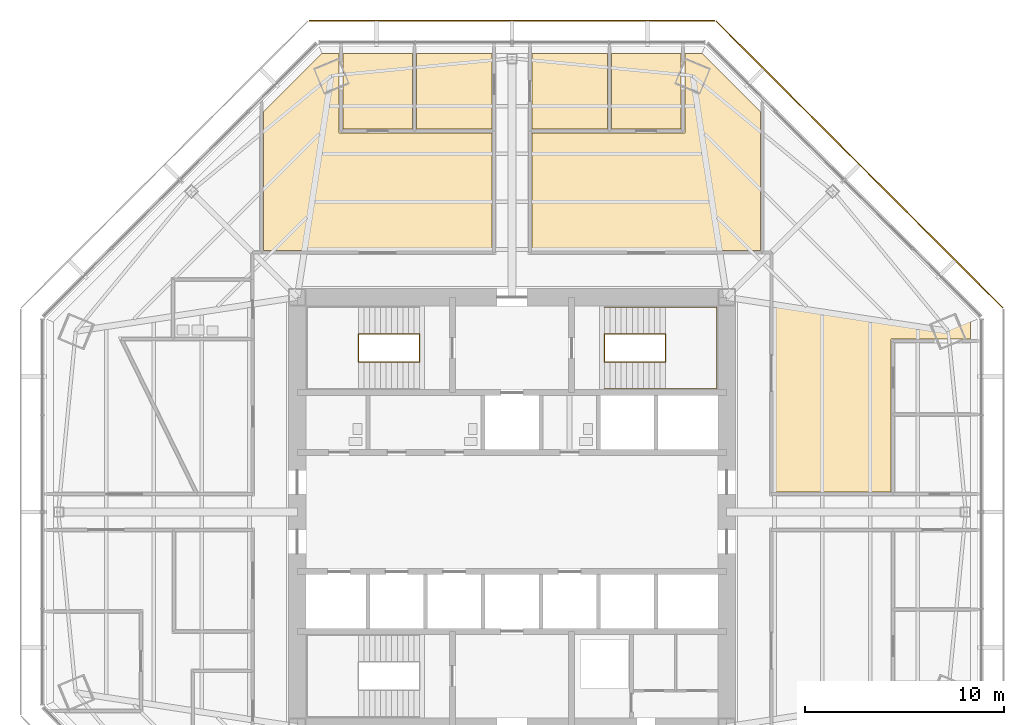
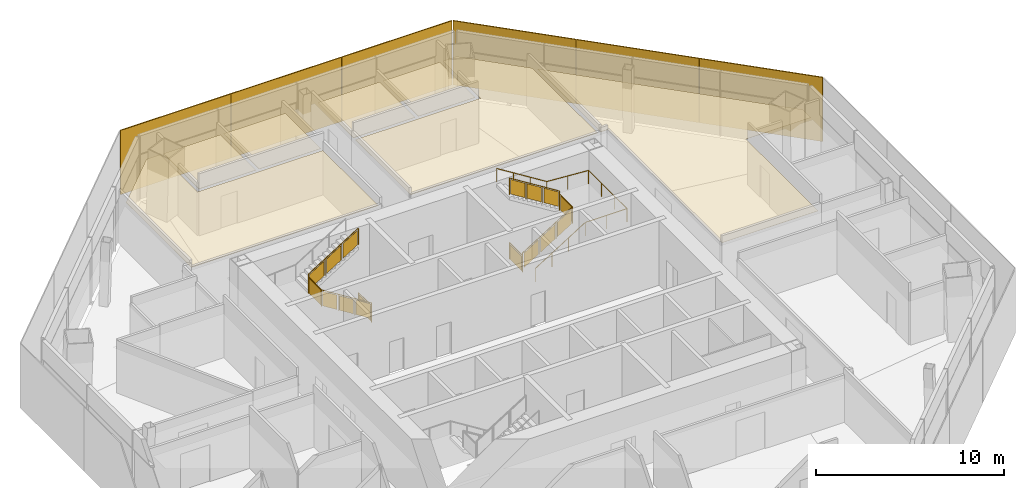
# One storey, part 14 of 15: 7 coverings, 6 shading devices, 3 railings.
"""IFC4 building model written with IfcOpenShell, lengths in metres."""

from ifc_helpers import new_model, si_unit, direction, frame, origin, origin_2d, place, context, subcontext, project, spatial, polyline, rectangle, circle, outline, extrude, source, transform, mapped, material, layer, layer_set, type_object, type_shapes, element, save


model = new_model("IFC4")

# Units and contexts
model_context = context("Model", 3, precision=1e-05, world=origin(), true_north=direction((0.0, 1.0)))
body_context = subcontext(model_context, "Body", "Model", "MODEL_VIEW")
ifc_project = project(units=[si_unit("LENGTHUNIT", "METRE"), si_unit("AREAUNIT", "SQUARE_METRE"), si_unit("VOLUMEUNIT", "CUBIC_METRE"), si_unit("PLANEANGLEUNIT", "RADIAN"), si_unit("MASSUNIT", "GRAM", prefix="KILO")], contexts=[model_context])

# Site, building, storey
site_placement = place(None, origin())
site = spatial("IfcSite", under=ifc_project, at=site_placement, CompositionType="ELEMENT")
building_placement = place(site_placement, origin())
building = spatial("IfcBuilding", under=site, at=building_placement, Name="Mashrafa Tower", CompositionType="ELEMENT")
storey_placement = place(building_placement, frame((0.0, 0.0, 155.39990234375)))
storey = spatial("IfcBuildingStorey", under=building, at=storey_placement, Name="L35", CompositionType="ELEMENT", Elevation=155.39990234375)

# Railings
ifc_material_1 = material(Name="Steel guard with glass infill", Category="steel")
railing_type_1 = type_object("IfcRailingType", Name="Stair guard 1100", PredefinedType="GUARDRAIL", material=ifc_material_1)
railing_1_placement = place(storey_placement, frame((-4.64990234375, 8.949951171875, 0.0)))
element("IfcRailing", 1, at=railing_1_placement, inside=storey, type_object=railing_type_1, Name="Stair S1 guard L35", PredefinedType="GUARDRAIL", context=body_context, shape_type="SweptSolid", body=[
    extrude(circle(Radius=0.02392578125, at=origin_2d()), frame((0.0, 0.0, 1.076171875), z_axis=(0.0, -1.0, 0.0), x_axis=(1.0, 0.0, 0.0)), (0.0, 0.0, 1.0), 1.39990234375),
    extrude(circle(Radius=0.02392578125, at=origin_2d()), frame((0.0, -1.39990234375, 1.076171875), z_axis=(0.0, 0.0, 1.0), x_axis=(1.0, 0.0, 0.0)), (0.0, 0.0, 1.0), 0.175048828125),
    extrude(circle(Radius=0.02392578125, at=origin_2d()), frame((0.0, -1.39990234375, 1.2509765625), z_axis=(-0.847998304005, 0.0, 0.529998940003), x_axis=(0.0, -1.0, 0.0)), (0.0, 0.0, 1.0), 3.632080078125),
    extrude(circle(Radius=0.02392578125, at=origin_2d()), frame((-3.080078125, -1.39990234375, 3.17626953125), z_axis=(0.0, 1.0, 0.0), x_axis=(-1.0, 0.0, 0.0)), (0.0, 0.0, 1.0), 1.39990234375),
    extrude(circle(Radius=0.02392578125, at=origin_2d()), frame((-3.080078125, 0.0, 3.17626953125), z_axis=(0.0, 0.0, 1.0), x_axis=(1.0, 0.0, 0.0)), (0.0, 0.0, 1.0), 0.175048828125),
    extrude(circle(Radius=0.02392578125, at=origin_2d()), frame((-3.080078125, 0.0, 3.35107421875), z_axis=(0.847998304005, 0.0, 0.529998940003), x_axis=(0.0, 1.0, 0.0)), (0.0, 0.0, 1.0), 3.632080078125),
    extrude(circle(Radius=0.02099609375, at=origin_2d()), origin(), (0.0, 0.0, 1.0), 1.052001953125),
    extrude(circle(Radius=0.02099609375, at=origin_2d()), frame((0.0, -1.39990234375, 0.0)), (0.0, 0.0, 1.0), 1.052001953125),
    extrude(circle(Radius=0.02099609375, at=origin_2d()), frame((0.0, -1.39990234375, 0.175048828125)), (0.0, 0.0, 1.0), 1.052001953125),
    extrude(circle(Radius=0.02099609375, at=origin_2d()), frame((-1.026611328125, -1.39990234375, 0.816650390625)), (0.0, 0.0, 1.0), 1.052001953125),
    extrude(circle(Radius=0.02099609375, at=origin_2d()), frame((-2.053466796875, -1.39990234375, 1.45849609375)), (0.0, 0.0, 1.0), 1.052001953125),
    extrude(circle(Radius=0.02099609375, at=origin_2d()), frame((-3.080078125, -1.39990234375, 2.10009765625)), (0.0, 0.0, 1.0), 1.052001953125),
    extrude(circle(Radius=0.02099609375, at=origin_2d()), frame((-3.080078125, 0.0, 2.10009765625)), (0.0, 0.0, 1.0), 1.052001953125),
    extrude(circle(Radius=0.02099609375, at=origin_2d()), frame((-3.080078125, 0.0, 2.275146484375)), (0.0, 0.0, 1.0), 1.052001953125),
    extrude(circle(Radius=0.02099609375, at=origin_2d()), frame((-2.053466796875, 0.0, 2.916748046875)), (0.0, 0.0, 1.0), 1.052001953125),
    extrude(circle(Radius=0.02099609375, at=origin_2d()), frame((-1.026611328125, 0.0, 3.55859375)), (0.0, 0.0, 1.0), 1.052001953125),
    extrude(circle(Radius=0.02099609375, at=origin_2d()), frame((0.0, 0.0, 4.2001953125)), (0.0, 0.0, 1.0), 1.052001953125),
    extrude(outline(polyline([(0.071044921875, 0.050048828125), (1.328857421875, 0.050048828125), (1.328857421875, 1.001953125), (0.071044921875, 1.001953125), (0.071044921875, 0.050048828125)])), frame((-0.006103515625, 0.0, 0.0), z_axis=(-1.0, 0.0, 0.0), x_axis=(0.0, -1.0, 0.0)), (0.0, 0.0, 1.0), 0.011962890625),
    extrude(outline(polyline([(0.071044921875, 0.094482421875), (0.955810546875, 0.647216796875), (0.955810546875, 1.599365234375), (0.071044921875, 1.04638671875), (0.071044921875, 0.094482421875)])), frame((0.0, -1.393798828125, 0.175048828125), z_axis=(0.0, 1.0, 0.0), x_axis=(-1.0, 0.0, 0.0)), (0.0, 0.0, 1.0), 0.011962890625),
    extrude(outline(polyline([(1.09765625, 0.736083984375), (1.982421875, 1.2890625), (1.982421875, 2.240966796875), (1.09765625, 1.68798828125), (1.09765625, 0.736083984375)])), frame((0.0, -1.393798828125, 0.175048828125), z_axis=(0.0, 1.0, 0.0), x_axis=(-1.0, 0.0, 0.0)), (0.0, 0.0, 1.0), 0.011962890625),
    extrude(outline(polyline([(2.124267578125, 1.377685546875), (3.009033203125, 1.9306640625), (3.009033203125, 2.882568359375), (2.124267578125, 2.329833984375), (2.124267578125, 1.377685546875)])), frame((0.0, -1.393798828125, 0.175048828125), z_axis=(0.0, 1.0, 0.0), x_axis=(-1.0, 0.0, 0.0)), (0.0, 0.0, 1.0), 0.011962890625),
    extrude(outline(polyline([(0.071044921875, 0.050048828125), (1.328857421875, 0.050048828125), (1.328857421875, 1.001953125), (0.071044921875, 1.001953125), (0.071044921875, 0.050048828125)])), frame((-3.073974609375, -1.39990234375, 2.10009765625), z_axis=(1.0, 0.0, 0.0), x_axis=(0.0, 1.0, 0.0)), (0.0, 0.0, 1.0), 0.011962890625),
    extrude(outline(polyline([(0.071044921875, 0.094482421875), (0.955810546875, 0.647216796875), (0.955810546875, 1.599365234375), (0.071044921875, 1.04638671875), (0.071044921875, 0.094482421875)])), frame((-3.080078125, -0.006103515625, 2.275146484375), z_axis=(0.0, -1.0, 0.0), x_axis=(1.0, 0.0, 0.0)), (0.0, 0.0, 1.0), 0.011962890625),
    extrude(outline(polyline([(1.09765625, 0.736083984375), (1.982421875, 1.2890625), (1.982421875, 2.240966796875), (1.09765625, 1.68798828125), (1.09765625, 0.736083984375)])), frame((-3.080078125, -0.006103515625, 2.275146484375), z_axis=(0.0, -1.0, 0.0), x_axis=(1.0, 0.0, 0.0)), (0.0, 0.0, 1.0), 0.011962890625),
    extrude(outline(polyline([(2.124267578125, 1.377685546875), (3.009033203125, 1.9306640625), (3.009033203125, 2.882568359375), (2.124267578125, 2.329833984375), (2.124267578125, 1.377685546875)])), frame((-3.080078125, -0.006103515625, 2.275146484375), z_axis=(0.0, -1.0, 0.0), x_axis=(1.0, 0.0, 0.0)), (0.0, 0.0, 1.0), 0.011962890625),
])
railing_2_placement = place(storey_placement, frame((4.64990234375, 8.949951171875, 0.0)))
element("IfcRailing", 2, at=railing_2_placement, inside=storey, type_object=railing_type_1, Name="Stair S2 guard L35", PredefinedType="GUARDRAIL", context=body_context, shape_type="SweptSolid", body=[
    extrude(circle(Radius=0.02392578125, at=origin_2d()), frame((0.0, 0.0, 1.076171875), z_axis=(0.0, -1.0, 0.0), x_axis=(1.0, 0.0, 0.0)), (0.0, 0.0, 1.0), 1.39990234375),
    extrude(circle(Radius=0.02392578125, at=origin_2d()), frame((0.0, -1.39990234375, 1.076171875), z_axis=(0.0, 0.0, 1.0), x_axis=(1.0, 0.0, 0.0)), (0.0, 0.0, 1.0), 0.175048828125),
    extrude(circle(Radius=0.02392578125, at=origin_2d()), frame((0.0, -1.39990234375, 1.2509765625), z_axis=(0.847998304005, 0.0, 0.529998940003), x_axis=(0.0, 1.0, 0.0)), (0.0, 0.0, 1.0), 3.632080078125),
    extrude(circle(Radius=0.02392578125, at=origin_2d()), frame((3.080078125, -1.39990234375, 3.17626953125), z_axis=(0.0, 1.0, 0.0), x_axis=(-1.0, 0.0, 0.0)), (0.0, 0.0, 1.0), 1.39990234375),
    extrude(circle(Radius=0.02392578125, at=origin_2d()), frame((3.080078125, 0.0, 3.17626953125), z_axis=(0.0, 0.0, 1.0), x_axis=(1.0, 0.0, 0.0)), (0.0, 0.0, 1.0), 0.175048828125),
    extrude(circle(Radius=0.02392578125, at=origin_2d()), frame((3.080078125, 0.0, 3.35107421875), z_axis=(-0.847998304005, 0.0, 0.529998940003), x_axis=(0.0, -1.0, 0.0)), (0.0, 0.0, 1.0), 3.632080078125),
    extrude(circle(Radius=0.02099609375, at=origin_2d()), origin(), (0.0, 0.0, 1.0), 1.052001953125),
    extrude(circle(Radius=0.02099609375, at=origin_2d()), frame((0.0, -1.39990234375, 0.0)), (0.0, 0.0, 1.0), 1.052001953125),
    extrude(circle(Radius=0.02099609375, at=origin_2d()), frame((0.0, -1.39990234375, 0.175048828125)), (0.0, 0.0, 1.0), 1.052001953125),
    extrude(circle(Radius=0.02099609375, at=origin_2d()), frame((1.026611328125, -1.39990234375, 0.816650390625)), (0.0, 0.0, 1.0), 1.052001953125),
    extrude(circle(Radius=0.02099609375, at=origin_2d()), frame((2.053466796875, -1.39990234375, 1.45849609375)), (0.0, 0.0, 1.0), 1.052001953125),
    extrude(circle(Radius=0.02099609375, at=origin_2d()), frame((3.080078125, -1.39990234375, 2.10009765625)), (0.0, 0.0, 1.0), 1.052001953125),
    extrude(circle(Radius=0.02099609375, at=origin_2d()), frame((3.080078125, 0.0, 2.10009765625)), (0.0, 0.0, 1.0), 1.052001953125),
    extrude(circle(Radius=0.02099609375, at=origin_2d()), frame((3.080078125, 0.0, 2.275146484375)), (0.0, 0.0, 1.0), 1.052001953125),
    extrude(circle(Radius=0.02099609375, at=origin_2d()), frame((2.053466796875, 0.0, 2.916748046875)), (0.0, 0.0, 1.0), 1.052001953125),
    extrude(circle(Radius=0.02099609375, at=origin_2d()), frame((1.026611328125, 0.0, 3.55859375)), (0.0, 0.0, 1.0), 1.052001953125),
    extrude(circle(Radius=0.02099609375, at=origin_2d()), frame((0.0, 0.0, 4.2001953125)), (0.0, 0.0, 1.0), 1.052001953125),
    extrude(outline(polyline([(0.071044921875, 0.050048828125), (1.328857421875, 0.050048828125), (1.328857421875, 1.001953125), (0.071044921875, 1.001953125), (0.071044921875, 0.050048828125)])), frame((-0.006103515625, 0.0, 0.0), z_axis=(-1.0, 0.0, 0.0), x_axis=(0.0, -1.0, 0.0)), (0.0, 0.0, 1.0), 0.011962890625),
    extrude(outline(polyline([(0.071044921875, 0.094482421875), (0.955810546875, 0.647216796875), (0.955810546875, 1.599365234375), (0.071044921875, 1.04638671875), (0.071044921875, 0.094482421875)])), frame((0.0, -1.406005859375, 0.175048828125), z_axis=(0.0, -1.0, 0.0), x_axis=(1.0, 0.0, 0.0)), (0.0, 0.0, 1.0), 0.011962890625),
    extrude(outline(polyline([(1.09765625, 0.736083984375), (1.982421875, 1.2890625), (1.982421875, 2.240966796875), (1.09765625, 1.68798828125), (1.09765625, 0.736083984375)])), frame((0.0, -1.406005859375, 0.175048828125), z_axis=(0.0, -1.0, 0.0), x_axis=(1.0, 0.0, 0.0)), (0.0, 0.0, 1.0), 0.011962890625),
    extrude(outline(polyline([(2.124267578125, 1.377685546875), (3.009033203125, 1.9306640625), (3.009033203125, 2.882568359375), (2.124267578125, 2.329833984375), (2.124267578125, 1.377685546875)])), frame((0.0, -1.406005859375, 0.175048828125), z_axis=(0.0, -1.0, 0.0), x_axis=(1.0, 0.0, 0.0)), (0.0, 0.0, 1.0), 0.011962890625),
    extrude(outline(polyline([(0.071044921875, 0.050048828125), (1.328857421875, 0.050048828125), (1.328857421875, 1.001953125), (0.071044921875, 1.001953125), (0.071044921875, 0.050048828125)])), frame((3.086181640625, -1.39990234375, 2.10009765625), z_axis=(1.0, 0.0, 0.0), x_axis=(0.0, 1.0, 0.0)), (0.0, 0.0, 1.0), 0.011962890625),
    extrude(outline(polyline([(0.071044921875, 0.094482421875), (0.955810546875, 0.647216796875), (0.955810546875, 1.599365234375), (0.071044921875, 1.04638671875), (0.071044921875, 0.094482421875)])), frame((3.080078125, 0.006103515625, 2.275146484375), z_axis=(0.0, 1.0, 0.0), x_axis=(-1.0, 0.0, 0.0)), (0.0, 0.0, 1.0), 0.011962890625),
    extrude(outline(polyline([(1.09765625, 0.736083984375), (1.982421875, 1.2890625), (1.982421875, 2.240966796875), (1.09765625, 1.68798828125), (1.09765625, 0.736083984375)])), frame((3.080078125, 0.006103515625, 2.275146484375), z_axis=(0.0, 1.0, 0.0), x_axis=(-1.0, 0.0, 0.0)), (0.0, 0.0, 1.0), 0.011962890625),
    extrude(outline(polyline([(2.124267578125, 1.377685546875), (3.009033203125, 1.9306640625), (3.009033203125, 2.882568359375), (2.124267578125, 2.329833984375), (2.124267578125, 1.377685546875)])), frame((3.080078125, 0.006103515625, 2.275146484375), z_axis=(0.0, 1.0, 0.0), x_axis=(-1.0, 0.0, 0.0)), (0.0, 0.0, 1.0), 0.011962890625),
])
ifc_material_2 = material(Name="Steel", Category="steel")
railing_type_2 = type_object("IfcRailingType", Name="Stair handrail 900", PredefinedType="HANDRAIL", material=ifc_material_2)
railing_3_placement = place(storey_placement, frame((4.64990234375, 6.199951171875, 0.175048828125)))
element("IfcRailing", 3, at=railing_3_placement, inside=storey, type_object=railing_type_2, Name="Stair S2 handrail L35", PredefinedType="HANDRAIL", context=body_context, shape_type="SweptSolid", body=[
    extrude(circle(Radius=0.02392578125, at=origin_2d()), frame((0.0, 0.0, 0.8759765625), z_axis=(0.847998304005, 0.0, 0.529998940003), x_axis=(0.0, 1.0, 0.0)), (0.0, 0.0, 1.0), 3.632080078125),
    extrude(circle(Radius=0.02392578125, at=origin_2d()), frame((3.080078125, 0.0, 2.80078125), z_axis=(1.0, 0.0, 0.0), x_axis=(0.0, 1.0, 0.0)), (0.0, 0.0, 1.0), 2.570068359375),
    extrude(circle(Radius=0.02392578125, at=origin_2d()), frame((5.650146484375, 0.0, 2.80078125), z_axis=(0.0, 1.0, 0.0), x_axis=(-1.0, 0.0, 0.0)), (0.0, 0.0, 1.0), 4.10009765625),
    extrude(circle(Radius=0.02392578125, at=origin_2d()), frame((5.650146484375, 4.10009765625, 2.80078125), z_axis=(-0.997688514158, 0.0, 0.067953136188), x_axis=(0.0, -1.0, 0.0)), (0.0, 0.0, 1.0), 2.575927734375),
    extrude(circle(Radius=0.02392578125, at=origin_2d()), frame((3.080078125, 4.10009765625, 2.97607421875), z_axis=(-0.847998304005, 0.0, 0.529998940003), x_axis=(0.0, -1.0, 0.0)), (0.0, 0.0, 1.0), 3.632080078125),
    extrude(circle(Radius=0.02099609375, at=origin_2d()), origin(), (0.0, 0.0, 1.0), 0.851806640625),
    extrude(circle(Radius=0.02099609375, at=origin_2d()), frame((1.026611328125, 0.0, 0.6416015625)), (0.0, 0.0, 1.0), 0.851806640625),
    extrude(circle(Radius=0.02099609375, at=origin_2d()), frame((2.053466796875, 0.0, 1.283447265625)), (0.0, 0.0, 1.0), 0.851806640625),
    extrude(circle(Radius=0.02099609375, at=origin_2d()), frame((3.080078125, 0.0, 1.925048828125)), (0.0, 0.0, 1.0), 0.851806640625),
    extrude(circle(Radius=0.02099609375, at=origin_2d()), frame((4.365234375, 0.0, 1.925048828125)), (0.0, 0.0, 1.0), 0.851806640625),
    extrude(circle(Radius=0.02099609375, at=origin_2d()), frame((5.650146484375, 0.0, 1.925048828125)), (0.0, 0.0, 1.0), 0.851806640625),
    extrude(circle(Radius=0.02099609375, at=origin_2d()), frame((5.650146484375, 1.36669921875, 1.925048828125)), (0.0, 0.0, 1.0), 0.851806640625),
    extrude(circle(Radius=0.02099609375, at=origin_2d()), frame((5.650146484375, 2.7333984375, 1.925048828125)), (0.0, 0.0, 1.0), 0.851806640625),
    extrude(circle(Radius=0.02099609375, at=origin_2d()), frame((5.650146484375, 4.10009765625, 1.925048828125)), (0.0, 0.0, 1.0), 0.851806640625),
    extrude(circle(Radius=0.02099609375, at=origin_2d()), frame((4.365234375, 4.10009765625, 2.0126953125)), (0.0, 0.0, 1.0), 0.851806640625),
    extrude(circle(Radius=0.02099609375, at=origin_2d()), frame((3.080078125, 4.10009765625, 2.10009765625)), (0.0, 0.0, 1.0), 0.851806640625),
    extrude(circle(Radius=0.02099609375, at=origin_2d()), frame((2.053466796875, 4.10009765625, 2.74169921875)), (0.0, 0.0, 1.0), 0.851806640625),
    extrude(circle(Radius=0.02099609375, at=origin_2d()), frame((1.026611328125, 4.10009765625, 3.383544921875)), (0.0, 0.0, 1.0), 0.851806640625),
    extrude(circle(Radius=0.02099609375, at=origin_2d()), frame((0.0, 4.10009765625, 4.025146484375)), (0.0, 0.0, 1.0), 0.851806640625),
])

# Coverings
ifc_material_3 = material(Name="Mineral fibre tile on suspension grid")
ifc_layer_1 = layer(ifc_material_3, 0.014892578125)
ifc_layer_set_1 = layer_set([ifc_layer_1], Name="Suspended ceiling mineral tile 15")
covering_type = type_object("IfcCoveringType", Name="Suspended ceiling mineral tile 15", PredefinedType="CEILING", material=ifc_layer_set_1)
covering_1_placement = place(storey_placement, frame((0.0, 0.0, 2.900146484375)))
element("IfcCovering", 4, at=covering_1_placement, inside=storey, type_object=covering_type, Name="Ceiling Serviced Office 35-NA-1", PredefinedType="CEILING", context=body_context, shape_type="SweptSolid", body=[
    extrude(outline(polyline([(-4.800048828125, 23.068603515625), (-1.0, 23.068603515625), (-1.0, 19.268798828125), (-4.800048828125, 19.268798828125), (-4.800048828125, 23.068603515625)])), origin(), (0.0, 0.0, 1.0), 0.014892578125),
])
covering_2_placement = place(storey_placement, frame((0.0, 0.0, 2.900146484375)))
element("IfcCovering", 5, at=covering_2_placement, inside=storey, type_object=covering_type, Name="Ceiling Serviced Office 35-NW2", PredefinedType="CEILING", context=body_context, shape_type="SweptSolid", body=[
    extrude(outline(polyline([(-8.5, 23.068603515625), (-5.0, 23.068603515625), (-5.0, 19.268798828125), (-8.5, 19.268798828125), (-8.5, 23.068603515625)])), origin(), (0.0, 0.0, 1.0), 0.014892578125),
])
covering_3_placement = place(storey_placement, frame((0.0, 0.0, 2.900146484375)))
element("IfcCovering", 6, at=covering_3_placement, inside=storey, type_object=covering_type, Name="Ceiling Serviced Office 35-NE2", PredefinedType="CEILING", context=body_context, shape_type="SweptSolid", body=[
    extrude(outline(polyline([(5.0, 23.068603515625), (8.5, 23.068603515625), (8.5, 19.268798828125), (5.0, 19.268798828125), (5.0, 23.068603515625)])), origin(), (0.0, 0.0, 1.0), 0.014892578125),
])
covering_4_placement = place(storey_placement, frame((0.0, 0.0, 2.900146484375)))
element("IfcCovering", 7, at=covering_4_placement, inside=storey, type_object=covering_type, Name="Ceiling Serviced Office 35-NB-2", PredefinedType="CEILING", context=body_context, shape_type="SweptSolid", body=[
    extrude(outline(polyline([(1.0, 23.068603515625), (4.800048828125, 23.068603515625), (4.800048828125, 19.268798828125), (1.0, 19.268798828125), (1.0, 23.068603515625)])), origin(), (0.0, 0.0, 1.0), 0.014892578125),
])
covering_5_placement = place(storey_placement, frame((0.0, 0.0, 2.900146484375)))
element("IfcCovering", 8, at=covering_5_placement, inside=storey, type_object=covering_type, Name="Ceiling Business Centre Suite 35-NE1", PredefinedType="CEILING", context=body_context, shape_type="SweptSolid", body=[
    extrude(outline(polyline([(12.699951171875, 13.14990234375), (12.699951171875, 19.924072265625), (23.068603515625, 9.555419921875), (23.068603515625, 8.699951171875), (19.068603515625, 8.699951171875), (19.068603515625, 1.0), (13.14990234375, 1.0), (13.14990234375, 13.14990234375), (12.699951171875, 13.14990234375)])), origin(), (0.0, 0.0, 1.0), 0.014892578125),
])
covering_6_placement = place(storey_placement, frame((0.0, 0.0, 2.900146484375)))
element("IfcCovering", 9, at=covering_6_placement, inside=storey, type_object=covering_type, Name="Ceiling Business Centre Lounge 35-NE2", PredefinedType="CEILING", context=body_context, shape_type="SweptSolid", body=[
    extrude(outline(polyline([(8.699951171875, 23.068603515625), (9.555419921875, 23.068603515625), (12.5, 20.1240234375), (12.5, 13.14990234375), (1.0, 13.14990234375), (1.0, 19.068603515625), (8.699951171875, 19.068603515625), (8.699951171875, 23.068603515625)])), origin(), (0.0, 0.0, 1.0), 0.014892578125),
])
covering_7_placement = place(storey_placement, frame((0.0, 0.0, 2.900146484375)))
element("IfcCovering", 10, at=covering_7_placement, inside=storey, type_object=covering_type, Name="Ceiling Business Centre Lounge 35-NW2", PredefinedType="CEILING", context=body_context, shape_type="SweptSolid", body=[
    extrude(outline(polyline([(-12.5, 13.14990234375), (-12.5, 20.1240234375), (-9.555419921875, 23.068603515625), (-8.699951171875, 23.068603515625), (-8.699951171875, 19.068603515625), (-1.0, 19.068603515625), (-1.0, 13.14990234375), (-12.5, 13.14990234375)])), origin(), (0.0, 0.0, 1.0), 0.014892578125),
])

# Shading devices
ifc_material_4 = material(Name="Perforated aluminium plate, eight-point star pattern", Category="aluminium")
ifc_layer_2 = layer(ifc_material_4, 0.06005859375)
ifc_layer_set_2 = layer_set([ifc_layer_2], Name="Mashrabiya screen panel office zone 2, 40 percent open")
shading_device_type = type_object("IfcShadingDeviceType", Name="Mashrabiya screen panel office zone 2, 40 percent open", PredefinedType="SHUTTER", material=ifc_layer_set_2)
shared_shape = source(origin(), body_context, "Body", "SweptSolid", [
    extrude(rectangle(XDim=6.791015625, YDim=0.06005859375, at=origin_2d()), origin(), (0.0, 0.0, 1.0), 4.179931640625),
])
type_shapes(shading_device_type, [shared_shape])
for number, where, z_axis, x_axis, name in (
    (11, (22.294677734375, 12.66259765625, -0.14990234375), (0.0, 0.0, 1.0), (-0.707106781187, 0.707106781187, 0.0), "Mashrabiya screen L35 north-east 1"),
    (12, (17.478759765625, 17.478759765625, -0.14990234375), (0.0, 0.0, 1.0), (-0.707106781187, 0.707106781187, 0.0), "Mashrabiya screen L35 north-east 2"),
    (13, (12.66259765625, 22.294677734375, -0.14990234375), (0.0, 0.0, 1.0), (-0.707106781187, 0.707106781187, 0.0), "Mashrabiya screen L35 north-east 3"),
    (14, (6.81103515625, 24.71875, -0.14990234375), (0.0, 0.0, 1.0), (-1.0, 0.0, 0.0), "Mashrabiya screen L35 north 1"),
    (15, (0.0, 24.71875, -0.14990234375), (0.0, 0.0, 1.0), (-1.0, 0.0, 0.0), "Mashrabiya screen L35 north 2"),
    (16, (-6.81103515625, 24.71875, -0.14990234375), (0.0, 0.0, 1.0), (-1.0, 0.0, 0.0), "Mashrabiya screen L35 north 3"),
):
    element("IfcShadingDevice", number, at=place(storey_placement, frame(where, z_axis=z_axis, x_axis=x_axis)), inside=storey, type_object=shading_device_type, Name=name, PredefinedType="SHUTTER", context=body_context, shape_type="MappedRepresentation", body=[
        mapped(shared_shape, transform((0.0, 0.0, 0.0))),
    ])

save(model, "model.ifc")
